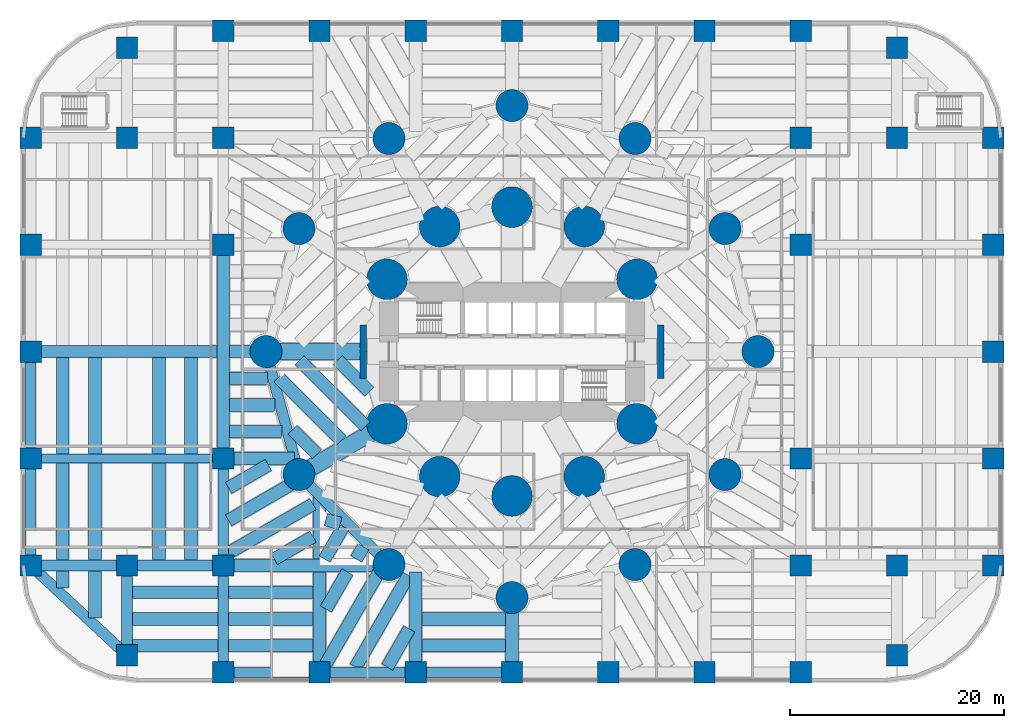
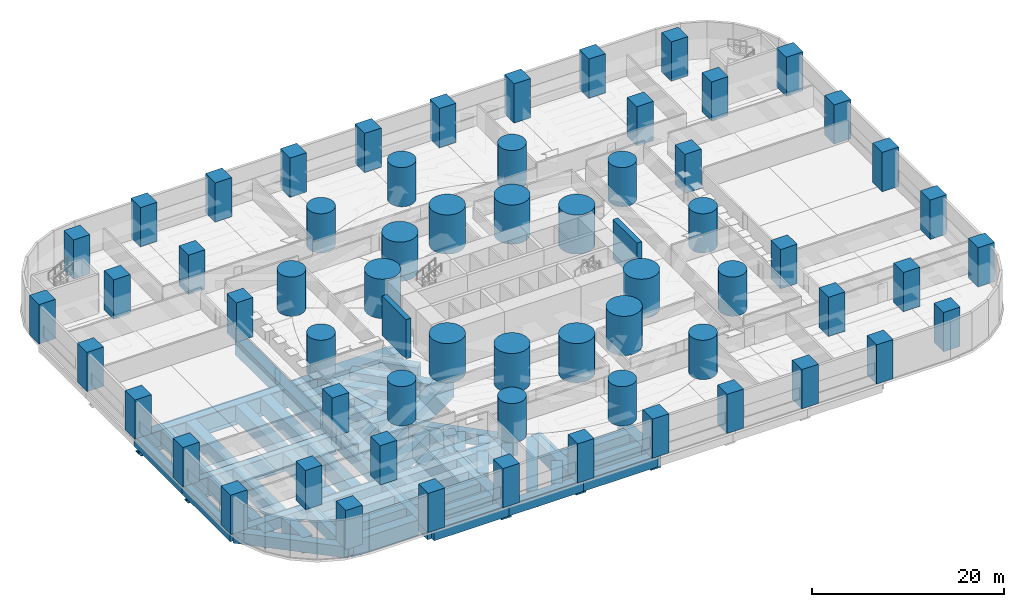
# One storey, part 1 of 17: 64 columns, 59 beams.
"""IFC4 building model written with IfcOpenShell, lengths in metres."""

from ifc_helpers import new_model, si_unit, direction, frame, origin, origin_2d, place, context, subcontext, project, spatial, rectangle, circle, i_section, extrude, material, material_profile, profile_set, type_object, element, save


model = new_model("IFC4")

# Units and contexts
model_context = context("Model", 3, precision=1e-05, world=origin(), true_north=direction((0.0, 1.0)))
body_context = subcontext(model_context, "Body", "Model", "MODEL_VIEW")
ifc_project = project(units=[si_unit("LENGTHUNIT", "METRE"), si_unit("AREAUNIT", "SQUARE_METRE"), si_unit("VOLUMEUNIT", "CUBIC_METRE"), si_unit("PLANEANGLEUNIT", "RADIAN"), si_unit("MASSUNIT", "GRAM", prefix="KILO")], contexts=[model_context])

# Site, building, storey
site_placement = place(None, origin())
site = spatial("IfcSite", under=ifc_project, at=site_placement, CompositionType="ELEMENT")
building_placement = place(site_placement, origin())
building = spatial("IfcBuilding", under=site, at=building_placement, Name="Qaws Media Tower", CompositionType="ELEMENT")
storey_placement = place(building_placement, frame((0.0, 0.0, 15.0)))
storey = spatial("IfcBuildingStorey", under=building, at=storey_placement, Name="L02", CompositionType="ELEMENT", Elevation=15.0)

# Columns
ifc_material_1 = material(Name="Concrete C70/85", Category="concrete")
ifc_material_profile_1 = material_profile(ifc_material_1, circle(Radius=1.5, at=origin_2d()), Name="RC D3000")
ifc_profile_set_1 = profile_set([ifc_material_profile_1], Name="Concrete C70/85")
column_type_1 = type_object("IfcColumnType", Name="Mega column RC D3000", PredefinedType="COLUMN", material=ifc_profile_set_1)
for number, where, z_axis, x_axis, name in (
    (1, (83.0, 50.0, 0.0), (0.0, 0.0, 1.0), (1.0, 0.0, 0.0), "MC1 mega column M01"),
    (2, (79.918701171875, 61.5, 0.0), (0.0, 0.0, 1.0), (1.0, 0.0, 0.0), "MC1 mega column M02"),
    (3, (71.5, 69.918701171875, 0.0), (0.0, 0.0, 1.0), (1.0, 0.0, 0.0), "MC1 mega column M03"),
    (4, (60.0, 73.0, 0.0), (0.0, 0.0, 1.0), (1.0, 0.0, 0.0), "MC1 mega column M04"),
    (5, (48.5, 69.918701171875, 0.0), (0.0, 0.0, 1.0), (1.0, 0.0, 0.0), "MC1 mega column M05"),
    (6, (40.081298828125, 61.5, 0.0), (0.0, 0.0, 1.0), (1.0, 0.0, 0.0), "MC1 mega column M06"),
    (7, (37.0, 50.0, 0.0), (0.0, 0.0, 1.0), (1.0, 0.0, 0.0), "MC1 mega column M07"),
    (8, (40.081298828125, 38.5, 0.0), (0.0, 0.0, 1.0), (1.0, 0.0, 0.0), "MC1 mega column M08"),
    (9, (48.5, 30.081298828125, 0.0), (0.0, 0.0, 1.0), (1.0, 0.0, 0.0), "MC1 mega column M09"),
    (10, (60.0, 27.0, 0.0), (0.0, 0.0, 1.0), (1.0, 0.0, 0.0), "MC1 mega column M10"),
    (11, (71.5, 30.081298828125, 0.0), (0.0, 0.0, 1.0), (1.0, 0.0, 0.0), "MC1 mega column M11"),
    (12, (79.918701171875, 38.5, 0.0), (0.0, 0.0, 1.0), (1.0, 0.0, 0.0), "MC1 mega column M12"),
):
    element("IfcColumn", number, at=place(storey_placement, frame(where, z_axis=z_axis, x_axis=x_axis)), inside=storey, type_object=column_type_1, Name=name, PredefinedType="COLUMN", context=body_context, shape_type="SweptSolid", body=[
        extrude(circle(Radius=1.5, at=origin_2d()), origin(), (0.0, 0.0, 1.0), 5.0),
    ])
ifc_material_2 = material(Name="Concrete C60/75", Category="concrete")
ifc_material_profile_2 = material_profile(ifc_material_2, rectangle(XDim=2.0, YDim=2.0, at=origin_2d()), Name="RC 2000x2000")
ifc_profile_set_2 = profile_set([ifc_material_profile_2], Name="Concrete C60/75")
column_type_2 = type_object("IfcColumnType", Name="Podium column RC 2000x2000", PredefinedType="COLUMN", material=ifc_profile_set_2)
for number, where, z_axis, x_axis, name in (
    (13, (33.0, 20.0, 0.0), (0.0, 0.0, 1.0), (1.0, 0.0, 0.0), "PC2 column 3/A"),
    (14, (42.0, 20.0, 0.0), (0.0, 0.0, 1.0), (1.0, 0.0, 0.0), "PC2 column 4/A"),
    (15, (51.0, 20.0, 0.0), (0.0, 0.0, 1.0), (1.0, 0.0, 0.0), "PC2 column 5/A"),
    (16, (60.0, 20.0, 0.0), (0.0, 0.0, 1.0), (1.0, 0.0, 0.0), "PC2 column 6/A"),
    (17, (69.0, 20.0, 0.0), (0.0, 0.0, 1.0), (1.0, 0.0, 0.0), "PC2 column 7/A"),
    (18, (78.0, 20.0, 0.0), (0.0, 0.0, 1.0), (1.0, 0.0, 0.0), "PC2 column 8/A"),
    (19, (87.0, 20.0, 0.0), (0.0, 0.0, 1.0), (1.0, 0.0, 0.0), "PC2 column 9/A"),
    (20, (24.0, 21.60009765625, 0.0), (0.0, 0.0, 1.0), (1.0, 0.0, 0.0), "PC2 column 2/A"),
    (21, (96.0, 21.60009765625, 0.0), (0.0, 0.0, 1.0), (1.0, 0.0, 0.0), "PC2 column 10/A"),
    (22, (15.0, 30.0, 0.0), (0.0, 0.0, 1.0), (1.0, 0.0, 0.0), "PC2 column 1/B"),
    (23, (24.0, 30.0, 0.0), (0.0, 0.0, 1.0), (1.0, 0.0, 0.0), "PC2 column 2/B"),
    (24, (33.0, 30.0, 0.0), (0.0, 0.0, 1.0), (1.0, 0.0, 0.0), "PC2 column 3/B"),
    (25, (87.0, 30.0, 0.0), (0.0, 0.0, 1.0), (1.0, 0.0, 0.0), "PC2 column 9/B"),
    (26, (96.0, 30.0, 0.0), (0.0, 0.0, 1.0), (1.0, 0.0, 0.0), "PC2 column 10/B"),
    (27, (105.0, 30.0, 0.0), (0.0, 0.0, 1.0), (1.0, 0.0, 0.0), "PC2 column 11/B"),
    (28, (15.0, 40.0, 0.0), (0.0, 0.0, 1.0), (1.0, 0.0, 0.0), "PC2 column 1/C"),
    (29, (33.0, 40.0, 0.0), (0.0, 0.0, 1.0), (1.0, 0.0, 0.0), "PC2 column 3/C"),
    (30, (87.0, 40.0, 0.0), (0.0, 0.0, 1.0), (1.0, 0.0, 0.0), "PC2 column 9/C"),
    (31, (105.0, 40.0, 0.0), (0.0, 0.0, 1.0), (1.0, 0.0, 0.0), "PC2 column 11/C"),
    (32, (15.0, 50.0, 0.0), (0.0, 0.0, 1.0), (1.0, 0.0, 0.0), "PC2 column 1/D"),
    (33, (105.0, 50.0, 0.0), (0.0, 0.0, 1.0), (1.0, 0.0, 0.0), "PC2 column 11/D"),
    (34, (15.0, 60.0, 0.0), (0.0, 0.0, 1.0), (1.0, 0.0, 0.0), "PC2 column 1/E"),
    (35, (33.0, 60.0, 0.0), (0.0, 0.0, 1.0), (1.0, 0.0, 0.0), "PC2 column 3/E"),
    (36, (87.0, 60.0, 0.0), (0.0, 0.0, 1.0), (1.0, 0.0, 0.0), "PC2 column 9/E"),
    (37, (105.0, 60.0, 0.0), (0.0, 0.0, 1.0), (1.0, 0.0, 0.0), "PC2 column 11/E"),
    (38, (15.0, 70.0, 0.0), (0.0, 0.0, 1.0), (1.0, 0.0, 0.0), "PC2 column 1/F"),
    (39, (24.0, 70.0, 0.0), (0.0, 0.0, 1.0), (1.0, 0.0, 0.0), "PC2 column 2/F"),
    (40, (33.0, 70.0, 0.0), (0.0, 0.0, 1.0), (1.0, 0.0, 0.0), "PC2 column 3/F"),
    (41, (87.0, 70.0, 0.0), (0.0, 0.0, 1.0), (1.0, 0.0, 0.0), "PC2 column 9/F"),
    (42, (96.0, 70.0, 0.0), (0.0, 0.0, 1.0), (1.0, 0.0, 0.0), "PC2 column 10/F"),
    (43, (105.0, 70.0, 0.0), (0.0, 0.0, 1.0), (1.0, 0.0, 0.0), "PC2 column 11/F"),
    (44, (24.0, 78.39990234375, 0.0), (0.0, 0.0, 1.0), (1.0, 0.0, 0.0), "PC2 column 2/G"),
    (45, (96.0, 78.39990234375, 0.0), (0.0, 0.0, 1.0), (1.0, 0.0, 0.0), "PC2 column 10/G"),
    (46, (33.0, 80.0, 0.0), (0.0, 0.0, 1.0), (1.0, 0.0, 0.0), "PC2 column 3/G"),
    (47, (42.0, 80.0, 0.0), (0.0, 0.0, 1.0), (1.0, 0.0, 0.0), "PC2 column 4/G"),
    (48, (51.0, 80.0, 0.0), (0.0, 0.0, 1.0), (1.0, 0.0, 0.0), "PC2 column 5/G"),
    (49, (60.0, 80.0, 0.0), (0.0, 0.0, 1.0), (1.0, 0.0, 0.0), "PC2 column 6/G"),
    (50, (69.0, 80.0, 0.0), (0.0, 0.0, 1.0), (1.0, 0.0, 0.0), "PC2 column 7/G"),
    (51, (78.0, 80.0, 0.0), (0.0, 0.0, 1.0), (1.0, 0.0, 0.0), "PC2 column 8/G"),
    (52, (87.0, 80.0, 0.0), (0.0, 0.0, 1.0), (1.0, 0.0, 0.0), "PC2 column 9/G"),
):
    element("IfcColumn", number, at=place(storey_placement, frame(where, z_axis=z_axis, x_axis=x_axis)), inside=storey, type_object=column_type_2, Name=name, PredefinedType="COLUMN", context=body_context, shape_type="SweptSolid", body=[
        extrude(rectangle(XDim=2.0, YDim=2.0, at=origin_2d()), origin(), (0.0, 0.0, 1.0), 5.0),
    ])
ifc_material_3 = material(Name="Concrete C70/85", Category="concrete")
ifc_material_profile_3 = material_profile(ifc_material_3, rectangle(XDim=0.60009765625, YDim=5.0, at=origin_2d()), Name="RC 600x5000")
ifc_profile_set_3 = profile_set([ifc_material_profile_3], Name="Concrete C70/85")
column_type_3 = type_object("IfcColumnType", Name="Podium inner blade column RC 600x5000", PredefinedType="COLUMN", material=ifc_profile_set_3)
for number, where, z_axis, x_axis, name in (
    (53, (73.89990234375, 50.0, 0.0), (0.0, 0.0, 1.0), (1.0, 0.0, 0.0), "PC4 inner blade column I01"),
    (54, (46.10009765625, 50.0, 0.0), (0.0, 0.0, 1.0), (1.0, 0.0, 0.0), "PC4 inner blade column I07"),
):
    element("IfcColumn", number, at=place(storey_placement, frame(where, z_axis=z_axis, x_axis=x_axis)), inside=storey, type_object=column_type_3, Name=name, PredefinedType="COLUMN", context=body_context, shape_type="SweptSolid", body=[
        extrude(rectangle(XDim=0.60009765625, YDim=5.0, at=origin_2d()), origin(), (0.0, 0.0, 1.0), 5.0),
    ])
ifc_material_4 = material(Name="Concrete C70/85", Category="concrete")
ifc_material_profile_4 = material_profile(ifc_material_4, circle(Radius=1.89990234375, at=origin_2d()), Name="RC D3800")
ifc_profile_set_4 = profile_set([ifc_material_profile_4], Name="Concrete C70/85")
column_type_4 = type_object("IfcColumnType", Name="Podium inner column RC D3800", PredefinedType="COLUMN", material=ifc_profile_set_4)
for number, where, z_axis, x_axis, name in (
    (55, (71.69140625, 56.75, 0.0), (0.0, 0.0, 1.0), (1.0, 0.0, 0.0), "PC3 inner column I02"),
    (56, (66.75, 61.69140625, 0.0), (0.0, 0.0, 1.0), (1.0, 0.0, 0.0), "PC3 inner column I03"),
    (57, (60.0, 63.5, 0.0), (0.0, 0.0, 1.0), (1.0, 0.0, 0.0), "PC3 inner column I04"),
    (58, (53.25, 61.69140625, 0.0), (0.0, 0.0, 1.0), (1.0, 0.0, 0.0), "PC3 inner column I05"),
    (59, (48.30859375, 56.75, 0.0), (0.0, 0.0, 1.0), (1.0, 0.0, 0.0), "PC3 inner column I06"),
    (60, (48.30859375, 43.25, 0.0), (0.0, 0.0, 1.0), (1.0, 0.0, 0.0), "PC3 inner column I08"),
    (61, (53.25, 38.30859375, 0.0), (0.0, 0.0, 1.0), (1.0, 0.0, 0.0), "PC3 inner column I09"),
    (62, (60.0, 36.5, 0.0), (0.0, 0.0, 1.0), (1.0, 0.0, 0.0), "PC3 inner column I10"),
    (63, (66.75, 38.30859375, 0.0), (0.0, 0.0, 1.0), (1.0, 0.0, 0.0), "PC3 inner column I11"),
    (64, (71.69140625, 43.25, 0.0), (0.0, 0.0, 1.0), (1.0, 0.0, 0.0), "PC3 inner column I12"),
):
    element("IfcColumn", number, at=place(storey_placement, frame(where, z_axis=z_axis, x_axis=x_axis)), inside=storey, type_object=column_type_4, Name=name, PredefinedType="COLUMN", context=body_context, shape_type="SweptSolid", body=[
        extrude(circle(Radius=1.89990234375, at=origin_2d()), origin(), (0.0, 0.0, 1.0), 5.0),
    ])

# Beams
ifc_material_5 = material(Name="Concrete C60/75", Category="concrete")
ifc_material_profile_5 = material_profile(ifc_material_5, rectangle(XDim=1.0, YDim=1.39990234375, at=origin_2d()), Name="RC 1000x1400")
ifc_profile_set_5 = profile_set([ifc_material_profile_5], Name="Concrete C60/75")
beam_type_1 = type_object("IfcBeamType", Name="Podium edge beam RC 1000x1400", PredefinedType="BEAM", material=ifc_profile_set_5)
for number, where, z_axis, x_axis, name in (
    (65, (37.0, 50.0, -1.0), (0.258809885148, -0.965928280645, 0.0), (0.965928280645, 0.258809885148, 0.0), "PB3 beam M07-M08"),
    (66, (40.081298828125, 38.5, -1.0), (0.707106781187, -0.707106781187, 0.0), (0.707106781187, 0.707106781187, 0.0), "PB3 beam M08-M09"),
):
    element("IfcBeam", number, at=place(storey_placement, frame(where, z_axis=z_axis, x_axis=x_axis)), inside=storey, type_object=beam_type_1, Name=name, PredefinedType="BEAM", context=body_context, shape_type="SweptSolid", body=[
        extrude(rectangle(XDim=1.0, YDim=1.39990234375, at=origin_2d()), origin(), (0.0, 0.0, 1.0), 11.90576171875),
    ])
ifc_material_6 = material(Name="Concrete C60/75", Category="concrete")
ifc_material_profile_6 = material_profile(ifc_material_6, rectangle(XDim=1.0, YDim=1.39990234375, at=origin_2d()), Name="RC 1000x1400")
ifc_profile_set_6 = profile_set([ifc_material_profile_6], Name="Concrete C60/75")
beam_type_2 = type_object("IfcBeamType", Name="Podium girder RC 1000x1400", PredefinedType="BEAM", material=ifc_profile_set_6)
for number, where, z_axis, x_axis, name in (
    (67, (33.0, 20.0, -1.0), (1.0, 0.0, 0.0), (0.0, 1.0, 0.0), "PB5 beam 3-4/A"),
    (68, (42.0, 20.0, -1.0), (1.0, 0.0, 0.0), (0.0, 1.0, 0.0), "PB5 beam 4-5/A"),
    (69, (51.0, 20.0, -1.0), (1.0, 0.0, 0.0), (0.0, 1.0, 0.0), "PB5 beam 5-6/A"),
    (70, (15.0, 30.0, -1.0), (1.0, 0.0, 0.0), (0.0, 1.0, 0.0), "PB5 beam 1-2/B"),
    (71, (24.0, 30.0, -1.0), (1.0, 0.0, 0.0), (0.0, 1.0, 0.0), "PB5 beam 2-3/B"),
):
    element("IfcBeam", number, at=place(storey_placement, frame(where, z_axis=z_axis, x_axis=x_axis)), inside=storey, type_object=beam_type_2, Name=name, PredefinedType="BEAM", context=body_context, shape_type="SweptSolid", body=[
        extrude(rectangle(XDim=1.0, YDim=1.39990234375, at=origin_2d()), origin(), (0.0, 0.0, 1.0), 9.0),
    ])
for number, where, z_axis, x_axis, name in (
    (72, (15.0, 30.0, -1.0), (0.0, 1.0, 0.0), (-1.0, 0.0, 0.0), "PB5 beam 1/B-C"),
    (73, (15.0, 40.0, -1.0), (0.0, 1.0, 0.0), (-1.0, 0.0, 0.0), "PB5 beam 1/C-D"),
):
    element("IfcBeam", number, at=place(storey_placement, frame(where, z_axis=z_axis, x_axis=x_axis)), inside=storey, type_object=beam_type_2, Name=name, PredefinedType="BEAM", context=body_context, shape_type="SweptSolid", body=[
        extrude(rectangle(XDim=1.0, YDim=1.39990234375, at=origin_2d()), origin(), (0.0, 0.0, 1.0), 10.0),
    ])
beam_1_placement = place(storey_placement, frame((24.0, 21.60009765625, -1.0), z_axis=(0.0, 1.0, 0.0), x_axis=(-1.0, 0.0, 0.0)))
element("IfcBeam", 74, at=beam_1_placement, inside=storey, type_object=beam_type_2, Name="PB5 beam 2/A-B", PredefinedType="BEAM", context=body_context, shape_type="SweptSolid", body=[
    extrude(rectangle(XDim=1.0, YDim=1.39990234375, at=origin_2d()), origin(), (0.0, 0.0, 1.0), 8.39990234375),
])
for number, where, z_axis, x_axis, name in (
    (75, (33.0, 20.0, -1.0), (0.0, 1.0, 0.0), (-1.0, 0.0, 0.0), "PB5 beam 3/A-B"),
    (76, (33.0, 30.0, -1.0), (0.0, 1.0, 0.0), (-1.0, 0.0, 0.0), "PB5 beam 3/B-C"),
):
    element("IfcBeam", number, at=place(storey_placement, frame(where, z_axis=z_axis, x_axis=x_axis)), inside=storey, type_object=beam_type_2, Name=name, PredefinedType="BEAM", context=body_context, shape_type="SweptSolid", body=[
        extrude(rectangle(XDim=1.0, YDim=1.39990234375, at=origin_2d()), origin(), (0.0, 0.0, 1.0), 10.0),
    ])
beam_2_placement = place(storey_placement, frame((15.0, 30.0, -1.0), z_axis=(0.73105922506, -0.682314010889, 0.0), x_axis=(0.682314010889, 0.73105922506, 0.0)))
element("IfcBeam", 77, at=beam_2_placement, inside=storey, type_object=beam_type_2, Name="PB5 beam 1/B-2/A", PredefinedType="BEAM", context=body_context, shape_type="SweptSolid", body=[
    extrude(rectangle(XDim=1.0, YDim=1.39990234375, at=origin_2d()), origin(), (0.0, 0.0, 1.0), 12.310791015625),
])
ifc_material_7 = material(Name="Concrete C60/75", Category="concrete")
ifc_material_profile_7 = material_profile(ifc_material_7, rectangle(XDim=1.199951171875, YDim=2.0, at=origin_2d()), Name="RC 1200x2000")
ifc_profile_set_7 = profile_set([ifc_material_profile_7], Name="Concrete C60/75")
beam_type_3 = type_object("IfcBeamType", Name="Podium long trimmer beam RC 1200x2000", PredefinedType="BEAM", material=ifc_profile_set_7)
beam_3_placement = place(storey_placement, frame((33.0, 30.0, -1.300048828125), z_axis=(1.0, 0.0, 0.0), x_axis=(0.0, 1.0, 0.0)))
element("IfcBeam", 78, at=beam_3_placement, inside=storey, type_object=beam_type_3, Name="PB11 beam 3/B to the tower ring", PredefinedType="BEAM", context=body_context, shape_type="SweptSolid", body=[
    extrude(rectangle(XDim=1.199951171875, YDim=2.0, at=origin_2d()), origin(), (0.0, 0.0, 1.0), 15.803955078125),
])
beam_4_placement = place(storey_placement, frame((33.0, 40.0, -1.300048828125), z_axis=(0.0, 1.0, 0.0), x_axis=(-1.0, 0.0, 0.0)))
element("IfcBeam", 79, at=beam_4_placement, inside=storey, type_object=beam_type_3, Name="PB11 beam 3/C-3/E", PredefinedType="BEAM", context=body_context, shape_type="SweptSolid", body=[
    extrude(rectangle(XDim=1.199951171875, YDim=2.0, at=origin_2d()), origin(), (0.0, 0.0, 1.0), 20.0),
])
beam_5_placement = place(storey_placement, frame((42.0, 20.0, -1.300048828125), z_axis=(0.0, 1.0, 0.0), x_axis=(-1.0, 0.0, 0.0)))
element("IfcBeam", 80, at=beam_5_placement, inside=storey, type_object=beam_type_3, Name="PB11 beam 4/A to the tower ring", PredefinedType="BEAM", context=body_context, shape_type="SweptSolid", body=[
    extrude(rectangle(XDim=1.199951171875, YDim=2.0, at=origin_2d()), origin(), (0.0, 0.0, 1.0), 16.581298828125),
])
ifc_material_8 = material(Name="Concrete C60/75", Category="concrete")
ifc_material_profile_8 = material_profile(ifc_material_8, rectangle(XDim=1.199951171875, YDim=2.0, at=origin_2d()), Name="RC 1200x2000")
ifc_profile_set_8 = profile_set([ifc_material_profile_8], Name="Concrete C60/75")
beam_type_4 = type_object("IfcBeamType", Name="Podium secondary beam RC 1200x2000", PredefinedType="BEAM", material=ifc_profile_set_8)
beam_6_placement = place(storey_placement, frame((21.0, 25.083984375, -1.300048828125), z_axis=(0.0, 1.0, 0.0), x_axis=(-1.0, 0.0, 0.0)))
element("IfcBeam", 81, at=beam_6_placement, inside=storey, type_object=beam_type_4, Name="PB7 beam bay 1A line 1", PredefinedType="BEAM", context=body_context, shape_type="SweptSolid", body=[
    extrude(rectangle(XDim=1.199951171875, YDim=2.0, at=origin_2d()), origin(), (0.0, 0.0, 1.0), 4.416015625),
])
beam_7_placement = place(storey_placement, frame((18.0, 27.884033203125, -1.300048828125), z_axis=(0.0, 1.0, 0.0), x_axis=(-1.0, 0.0, 0.0)))
element("IfcBeam", 82, at=beam_7_placement, inside=storey, type_object=beam_type_4, Name="PB7 beam bay 1A line 2", PredefinedType="BEAM", context=body_context, shape_type="SweptSolid", body=[
    extrude(rectangle(XDim=1.199951171875, YDim=2.0, at=origin_2d()), origin(), (0.0, 0.0, 1.0), 1.615966796875),
])
for number, where, z_axis, x_axis, name in (
    (83, (21.0, 30.5, -1.300048828125), (0.0, 1.0, 0.0), (-1.0, 0.0, 0.0), "PB7 beam bay 1B line 1"),
    (84, (18.0, 30.5, -1.300048828125), (0.0, 1.0, 0.0), (-1.0, 0.0, 0.0), "PB7 beam bay 1B line 2"),
):
    element("IfcBeam", number, at=place(storey_placement, frame(where, z_axis=z_axis, x_axis=x_axis)), inside=storey, type_object=beam_type_4, Name=name, PredefinedType="BEAM", context=body_context, shape_type="SweptSolid", body=[
        extrude(rectangle(XDim=1.199951171875, YDim=2.0, at=origin_2d()), origin(), (0.0, 0.0, 1.0), 9.10009765625),
    ])
for number, where, z_axis, x_axis, name in (
    (85, (21.0, 40.39990234375, -1.300048828125), (0.0, 1.0, 0.0), (-1.0, 0.0, 0.0), "PB7 beam bay 1C line 1"),
    (86, (18.0, 40.39990234375, -1.300048828125), (0.0, 1.0, 0.0), (-1.0, 0.0, 0.0), "PB7 beam bay 1C line 2"),
):
    element("IfcBeam", number, at=place(storey_placement, frame(where, z_axis=z_axis, x_axis=x_axis)), inside=storey, type_object=beam_type_4, Name=name, PredefinedType="BEAM", context=body_context, shape_type="SweptSolid", body=[
        extrude(rectangle(XDim=1.199951171875, YDim=2.0, at=origin_2d()), origin(), (0.0, 0.0, 1.0), 9.050048828125),
    ])
for number, where, z_axis, x_axis, name in (
    (87, (24.5, 22.5, -1.300048828125), (1.0, 0.0, 0.0), (0.0, 1.0, 0.0), "PB7 beam bay 2A line 1"),
    (88, (24.5, 25.0, -1.300048828125), (1.0, 0.0, 0.0), (0.0, 1.0, 0.0), "PB7 beam bay 2A line 2"),
    (89, (24.5, 27.5, -1.300048828125), (1.0, 0.0, 0.0), (0.0, 1.0, 0.0), "PB7 beam bay 2A line 3"),
):
    element("IfcBeam", number, at=place(storey_placement, frame(where, z_axis=z_axis, x_axis=x_axis)), inside=storey, type_object=beam_type_4, Name=name, PredefinedType="BEAM", context=body_context, shape_type="SweptSolid", body=[
        extrude(rectangle(XDim=1.199951171875, YDim=2.0, at=origin_2d()), origin(), (0.0, 0.0, 1.0), 8.0),
    ])
for number, where, z_axis, x_axis, name in (
    (90, (30.0, 30.5, -1.300048828125), (0.0, 1.0, 0.0), (-1.0, 0.0, 0.0), "PB7 beam bay 2B line 1"),
    (91, (27.0, 30.5, -1.300048828125), (0.0, 1.0, 0.0), (-1.0, 0.0, 0.0), "PB7 beam bay 2B line 2"),
):
    element("IfcBeam", number, at=place(storey_placement, frame(where, z_axis=z_axis, x_axis=x_axis)), inside=storey, type_object=beam_type_4, Name=name, PredefinedType="BEAM", context=body_context, shape_type="SweptSolid", body=[
        extrude(rectangle(XDim=1.199951171875, YDim=2.0, at=origin_2d()), origin(), (0.0, 0.0, 1.0), 9.10009765625),
    ])
for number, where, z_axis, x_axis, name in (
    (92, (30.0, 40.39990234375, -1.300048828125), (0.0, 1.0, 0.0), (-1.0, 0.0, 0.0), "PB7 beam bay 2C line 1"),
    (93, (27.0, 40.39990234375, -1.300048828125), (0.0, 1.0, 0.0), (-1.0, 0.0, 0.0), "PB7 beam bay 2C line 2"),
):
    element("IfcBeam", number, at=place(storey_placement, frame(where, z_axis=z_axis, x_axis=x_axis)), inside=storey, type_object=beam_type_4, Name=name, PredefinedType="BEAM", context=body_context, shape_type="SweptSolid", body=[
        extrude(rectangle(XDim=1.199951171875, YDim=2.0, at=origin_2d()), origin(), (0.0, 0.0, 1.0), 9.050048828125),
    ])
for number, where, z_axis, x_axis, name in (
    (94, (33.5, 22.5, -1.300048828125), (1.0, 0.0, 0.0), (0.0, 1.0, 0.0), "PB7 beam bay 3A line 1"),
    (95, (33.5, 25.0, -1.300048828125), (1.0, 0.0, 0.0), (0.0, 1.0, 0.0), "PB7 beam bay 3A line 2"),
    (96, (33.5, 27.5, -1.300048828125), (1.0, 0.0, 0.0), (0.0, 1.0, 0.0), "PB7 beam bay 3A line 3"),
):
    element("IfcBeam", number, at=place(storey_placement, frame(where, z_axis=z_axis, x_axis=x_axis)), inside=storey, type_object=beam_type_4, Name=name, PredefinedType="BEAM", context=body_context, shape_type="SweptSolid", body=[
        extrude(rectangle(XDim=1.199951171875, YDim=2.0, at=origin_2d()), origin(), (0.0, 0.0, 1.0), 7.89990234375),
    ])
beam_8_placement = place(storey_placement, frame((37.775146484375, 30.60009765625, -1.300048828125), z_axis=(0.866023369196, 0.500003523994, 0.0), x_axis=(-0.500003523994, 0.866023369196, 0.0)))
element("IfcBeam", 97, at=beam_8_placement, inside=storey, type_object=beam_type_4, Name="PB7 beam bay 3B line 1", PredefinedType="BEAM", context=body_context, shape_type="SweptSolid", body=[
    extrude(rectangle(XDim=1.199951171875, YDim=2.0, at=origin_2d()), origin(), (0.0, 0.0, 1.0), 4.185546875),
])
beam_9_placement = place(storey_placement, frame((33.5, 31.1708984375, -1.300048828125), z_axis=(0.866024244995, 0.500002007077, 0.0), x_axis=(-0.500002007077, 0.866024244995, 0.0)))
element("IfcBeam", 98, at=beam_9_placement, inside=storey, type_object=beam_type_4, Name="PB7 beam bay 3B line 2", PredefinedType="BEAM", context=body_context, shape_type="SweptSolid", body=[
    extrude(rectangle(XDim=1.199951171875, YDim=2.0, at=origin_2d()), origin(), (0.0, 0.0, 1.0), 9.1220703125),
])
beam_10_placement = place(storey_placement, frame((33.5, 34.210205078125, -1.300048828125), z_axis=(0.866033686948, 0.499985652865, 0.0), x_axis=(-0.499985652865, 0.866033686948, 0.0)))
element("IfcBeam", 99, at=beam_10_placement, inside=storey, type_object=beam_type_4, Name="PB7 beam bay 3B line 3", PredefinedType="BEAM", context=body_context, shape_type="SweptSolid", body=[
    extrude(rectangle(XDim=1.199951171875, YDim=2.0, at=origin_2d()), origin(), (0.0, 0.0, 1.0), 7.440673828125),
])
beam_11_placement = place(storey_placement, frame((33.5, 37.24951171875, -1.300048828125), z_axis=(0.866040963478, 0.499973048851, 0.0), x_axis=(-0.499973048851, 0.866040963478, 0.0)))
element("IfcBeam", 100, at=beam_11_placement, inside=storey, type_object=beam_type_4, Name="PB7 beam bay 3B line 4", PredefinedType="BEAM", context=body_context, shape_type="SweptSolid", body=[
    extrude(rectangle(XDim=1.199951171875, YDim=2.0, at=origin_2d()), origin(), (0.0, 0.0, 1.0), 4.301025390625),
])
beam_12_placement = place(storey_placement, frame((33.60009765625, 42.5, -1.300048828125), z_axis=(1.0, 0.0, 0.0), x_axis=(0.0, 1.0, 0.0)))
element("IfcBeam", 101, at=beam_12_placement, inside=storey, type_object=beam_type_4, Name="PB7 beam bay 3C line 1", PredefinedType="BEAM", context=body_context, shape_type="SweptSolid", body=[
    extrude(rectangle(XDim=1.199951171875, YDim=2.0, at=origin_2d()), origin(), (0.0, 0.0, 1.0), 4.891845703125),
])
beam_13_placement = place(storey_placement, frame((33.60009765625, 45.0, -1.300048828125), z_axis=(1.0, 0.0, 0.0), x_axis=(0.0, 1.0, 0.0)))
element("IfcBeam", 102, at=beam_13_placement, inside=storey, type_object=beam_type_4, Name="PB7 beam bay 3C line 2", PredefinedType="BEAM", context=body_context, shape_type="SweptSolid", body=[
    extrude(rectangle(XDim=1.199951171875, YDim=2.0, at=origin_2d()), origin(), (0.0, 0.0, 1.0), 4.221923828125),
])
beam_14_placement = place(storey_placement, frame((33.60009765625, 47.5, -1.300048828125), z_axis=(1.0, 0.0, 0.0), x_axis=(0.0, 1.0, 0.0)))
element("IfcBeam", 103, at=beam_14_placement, inside=storey, type_object=beam_type_4, Name="PB7 beam bay 3C line 3", PredefinedType="BEAM", context=body_context, shape_type="SweptSolid", body=[
    extrude(rectangle(XDim=1.199951171875, YDim=2.0, at=origin_2d()), origin(), (0.0, 0.0, 1.0), 3.55224609375),
])
beam_15_placement = place(storey_placement, frame((48.333984375, 20.5, -1.300048828125), z_axis=(0.499990122378, 0.866031106557, 0.0), x_axis=(-0.866031106557, 0.499990122378, 0.0)))
element("IfcBeam", 104, at=beam_15_placement, inside=storey, type_object=beam_type_4, Name="PB7 beam bay 4A line 1", PredefinedType="BEAM", context=body_context, shape_type="SweptSolid", body=[
    extrude(rectangle(XDim=1.199951171875, YDim=2.0, at=origin_2d()), origin(), (0.0, 0.0, 1.0), 4.1318359375),
])
beam_16_placement = place(storey_placement, frame((45.37939453125, 20.5, -1.300048828125), z_axis=(0.499992846816, 0.866029533637, 0.0), x_axis=(-0.866029533637, 0.499992846816, 0.0)))
element("IfcBeam", 105, at=beam_16_placement, inside=storey, type_object=beam_type_4, Name="PB7 beam bay 4A line 2", PredefinedType="BEAM", context=body_context, shape_type="SweptSolid", body=[
    extrude(rectangle(XDim=1.199951171875, YDim=2.0, at=origin_2d()), origin(), (0.0, 0.0, 1.0), 9.900146484375),
])
beam_17_placement = place(storey_placement, frame((42.424560546875, 20.5, -1.300048828125), z_axis=(0.500004869266, 0.866022592494, 0.0), x_axis=(-0.866022592494, 0.500004869266, 0.0)))
element("IfcBeam", 106, at=beam_17_placement, inside=storey, type_object=beam_type_4, Name="PB7 beam bay 4A line 3", PredefinedType="BEAM", context=body_context, shape_type="SweptSolid", body=[
    extrude(rectangle(XDim=1.199951171875, YDim=2.0, at=origin_2d()), origin(), (0.0, 0.0, 1.0), 10.27685546875),
])
beam_18_placement = place(storey_placement, frame((42.60009765625, 25.921630859375, -1.300048828125), z_axis=(0.500022371132, 0.86601248742, 0.0), x_axis=(-0.86601248742, 0.500022371132, 0.0)))
element("IfcBeam", 107, at=beam_18_placement, inside=storey, type_object=beam_type_4, Name="PB7 beam bay 4A line 4", PredefinedType="BEAM", context=body_context, shape_type="SweptSolid", body=[
    extrude(rectangle(XDim=1.199951171875, YDim=2.0, at=origin_2d()), origin(), (0.0, 0.0, 1.0), 4.016357421875),
])
beam_19_placement = place(storey_placement, frame((45.43701171875, 30.60009765625, -1.300048828125), z_axis=(0.500062873969, 0.865989100438, 0.0), x_axis=(-0.865989100438, 0.500062873969, 0.0)))
element("IfcBeam", 108, at=beam_19_placement, inside=storey, type_object=beam_type_4, Name="PB7 beam bay 4B line 1", PredefinedType="BEAM", context=body_context, shape_type="SweptSolid", body=[
    extrude(rectangle(XDim=1.199951171875, YDim=2.0, at=origin_2d()), origin(), (0.0, 0.0, 1.0), 1.344970703125),
])
beam_20_placement = place(storey_placement, frame((42.482421875, 30.60009765625, -1.300048828125), z_axis=(0.500001597329, 0.866024481564, 0.0), x_axis=(-0.866024481564, 0.500001597329, 0.0)))
element("IfcBeam", 109, at=beam_20_placement, inside=storey, type_object=beam_type_4, Name="PB7 beam bay 4B line 2", PredefinedType="BEAM", context=body_context, shape_type="SweptSolid", body=[
    extrude(rectangle(XDim=1.199951171875, YDim=2.0, at=origin_2d()), origin(), (0.0, 0.0, 1.0), 3.5078125),
])
for number, where, z_axis, x_axis, name in (
    (110, (51.60009765625, 22.5, -1.300048828125), (1.0, 0.0, 0.0), (0.0, 1.0, 0.0), "PB7 beam bay 5A line 1"),
    (111, (51.60009765625, 25.0, -1.300048828125), (1.0, 0.0, 0.0), (0.0, 1.0, 0.0), "PB7 beam bay 5A line 2"),
):
    element("IfcBeam", number, at=place(storey_placement, frame(where, z_axis=z_axis, x_axis=x_axis)), inside=storey, type_object=beam_type_4, Name=name, PredefinedType="BEAM", context=body_context, shape_type="SweptSolid", body=[
        extrude(rectangle(XDim=1.199951171875, YDim=2.0, at=origin_2d()), origin(), (0.0, 0.0, 1.0), 7.7998046875),
    ])
beam_21_placement = place(storey_placement, frame((46.680419921875, 46.23583984375, -1.300048828125), z_axis=(-0.707106781187, 0.707106781187, 0.0), x_axis=(-0.707106781187, -0.707106781187, 0.0)))
element("IfcBeam", 112, at=beam_21_placement, inside=storey, type_object=beam_type_4, Name="PB7 beam bay T07 line 1", PredefinedType="BEAM", context=body_context, shape_type="SweptSolid", body=[
    extrude(rectangle(XDim=1.199951171875, YDim=2.0, at=origin_2d()), origin(), (0.0, 0.0, 1.0), 4.19189453125),
])
beam_22_placement = place(storey_placement, frame((46.311767578125, 43.020751953125, -1.300048828125), z_axis=(-0.707106781187, 0.707106781187, 0.0), x_axis=(-0.707106781187, -0.707106781187, 0.0)))
element("IfcBeam", 113, at=beam_22_placement, inside=storey, type_object=beam_type_4, Name="PB7 beam bay T07 line 2", PredefinedType="BEAM", context=body_context, shape_type="SweptSolid", body=[
    extrude(rectangle(XDim=1.199951171875, YDim=2.0, at=origin_2d()), origin(), (0.0, 0.0, 1.0), 8.73876953125),
])
beam_23_placement = place(storey_placement, frame((44.039794921875, 41.708984375, -1.300048828125), z_axis=(-0.707106781187, 0.707106781187, 0.0), x_axis=(-0.707106781187, -0.707106781187, 0.0)))
element("IfcBeam", 114, at=beam_23_placement, inside=storey, type_object=beam_type_4, Name="PB7 beam bay T07 line 3", PredefinedType="BEAM", context=body_context, shape_type="SweptSolid", body=[
    extrude(rectangle(XDim=1.199951171875, YDim=2.0, at=origin_2d()), origin(), (0.0, 0.0, 1.0), 8.30810546875),
])
beam_24_placement = place(storey_placement, frame((41.767822265625, 40.3974609375, -1.300048828125), z_axis=(-0.707144458383, 0.707069101983, 0.0), x_axis=(-0.707069101983, -0.707144458383, 0.0)))
element("IfcBeam", 115, at=beam_24_placement, inside=storey, type_object=beam_type_4, Name="PB7 beam bay T07 line 4", PredefinedType="BEAM", context=body_context, shape_type="SweptSolid", body=[
    extrude(rectangle(XDim=1.199951171875, YDim=2.0, at=origin_2d()), origin(), (0.0, 0.0, 1.0), 3.23974609375),
])
beam_25_placement = place(storey_placement, frame((43.950439453125, 33.924072265625, -1.300048828125), z_axis=(-0.965927004363, 0.25881464843, 0.0), x_axis=(-0.25881464843, -0.965927004363, 0.0)))
element("IfcBeam", 116, at=beam_25_placement, inside=storey, type_object=beam_type_4, Name="PB7 beam bay T08 line 5", PredefinedType="BEAM", context=body_context, shape_type="SweptSolid", body=[
    extrude(rectangle(XDim=1.199951171875, YDim=2.0, at=origin_2d()), origin(), (0.0, 0.0, 1.0), 1.39794921875),
])
ifc_material_9 = material(Name="Concrete C60/75", Category="concrete")
ifc_material_profile_9 = material_profile(ifc_material_9, rectangle(XDim=1.60009765625, YDim=2.60009765625, at=origin_2d()), Name="RC 1600x2600")
ifc_profile_set_9 = profile_set([ifc_material_profile_9], Name="Concrete C60/75")
beam_type_5 = type_object("IfcBeamType", Name="Podium tower beam RC 1600x2600", PredefinedType="BEAM", material=ifc_profile_set_9)
for number, where, z_axis, x_axis, name in (
    (117, (46.5, 50.0, -1.60009765625), (-1.0, 0.0, 0.0), (0.0, -1.0, 0.0), "PB9 beam I07-M07"),
    (118, (48.30859375, 43.25, -1.60009765625), (-0.86602681393, -0.499997557548, 0.0), (0.499997557548, -0.86602681393, 0.0), "PB9 beam I08-M08"),
):
    element("IfcBeam", number, at=place(storey_placement, frame(where, z_axis=z_axis, x_axis=x_axis)), inside=storey, type_object=beam_type_5, Name=name, PredefinedType="BEAM", context=body_context, shape_type="SweptSolid", body=[
        extrude(rectangle(XDim=1.60009765625, YDim=2.60009765625, at=origin_2d()), origin(), (0.0, 0.0, 1.0), 9.5),
    ])
ifc_material_10 = material(Name="Concrete C60/75", Category="concrete")
ifc_material_profile_10 = material_profile(ifc_material_10, rectangle(XDim=1.199951171875, YDim=2.0, at=origin_2d()), Name="RC 1200x2000")
ifc_profile_set_10 = profile_set([ifc_material_profile_10], Name="Concrete C60/75")
beam_type_6 = type_object("IfcBeamType", Name="Podium trimmer beam RC 1200x2000", PredefinedType="BEAM", material=ifc_profile_set_10)
beam_26_placement = place(storey_placement, frame((33.0, 40.0, -1.300048828125), z_axis=(1.0, 0.0, 0.0), x_axis=(0.0, 1.0, 0.0)))
element("IfcBeam", 119, at=beam_26_placement, inside=storey, type_object=beam_type_6, Name="PB4 beam 3/C to the tower ring", PredefinedType="BEAM", context=body_context, shape_type="SweptSolid", body=[
    extrude(rectangle(XDim=1.199951171875, YDim=2.0, at=origin_2d()), origin(), (0.0, 0.0, 1.0), 6.679443359375),
])
beam_27_placement = place(storey_placement, frame((51.0, 20.0, -1.300048828125), z_axis=(0.0, 1.0, 0.0), x_axis=(-1.0, 0.0, 0.0)))
element("IfcBeam", 120, at=beam_27_placement, inside=storey, type_object=beam_type_6, Name="PB4 beam 5/A to the tower ring", PredefinedType="BEAM", context=body_context, shape_type="SweptSolid", body=[
    extrude(rectangle(XDim=1.199951171875, YDim=2.0, at=origin_2d()), origin(), (0.0, 0.0, 1.0), 9.41162109375),
])
beam_28_placement = place(storey_placement, frame((60.0, 20.0, -1.300048828125), z_axis=(0.0, 1.0, 0.0), x_axis=(-1.0, 0.0, 0.0)))
element("IfcBeam", 121, at=beam_28_placement, inside=storey, type_object=beam_type_6, Name="PB4 beam 6/A to the tower ring", PredefinedType="BEAM", context=body_context, shape_type="SweptSolid", body=[
    extrude(rectangle(XDim=1.199951171875, YDim=2.0, at=origin_2d()), origin(), (0.0, 0.0, 1.0), 7.0),
])
ifc_material_11 = material(Name="Steel S355", Category="steel")
ifc_material_profile_11 = material_profile(ifc_material_11, i_section(OverallWidth=1.10009765625, OverallDepth=2.5, WebThickness=0.031982421875, FlangeThickness=0.080078125, at=origin_2d()), Name="PG 2500x1100")
ifc_profile_set_11 = profile_set([ifc_material_profile_11], Name="Steel S355")
beam_type_7 = type_object("IfcBeamType", Name="Studio girder PG 2500x1100", PredefinedType="BEAM", material=ifc_profile_set_11)
beam_29_placement = place(storey_placement, frame((15.0, 50.0, -1.550048828125), z_axis=(1.0, 0.0, 0.0), x_axis=(0.0, 1.0, 0.0)))
element("IfcBeam", 122, at=beam_29_placement, inside=storey, type_object=beam_type_7, Name="SG2 studio A girder on grid D", PredefinedType="BEAM", context=body_context, shape_type="SweptSolid", body=[
    extrude(i_section(OverallWidth=1.10009765625, OverallDepth=2.5, WebThickness=0.031982421875, FlangeThickness=0.080078125, at=origin_2d()), origin(), (0.0, 0.0, 1.0), 22.0),
])
ifc_material_12 = material(Name="Steel S355", Category="steel")
ifc_material_profile_12 = material_profile(ifc_material_12, i_section(OverallWidth=0.800048828125, OverallDepth=2.5, WebThickness=0.030029296875, FlangeThickness=0.06494140625, at=origin_2d()), Name="PG 2500x800")
ifc_profile_set_12 = profile_set([ifc_material_profile_12], Name="Steel S355")
beam_type_8 = type_object("IfcBeamType", Name="Studio girder PG 2500x800", PredefinedType="BEAM", material=ifc_profile_set_12)
beam_30_placement = place(storey_placement, frame((15.0, 40.0, -1.550048828125), z_axis=(1.0, 0.0, 0.0), x_axis=(0.0, 1.0, 0.0)))
element("IfcBeam", 123, at=beam_30_placement, inside=storey, type_object=beam_type_8, Name="SG1 studio A girder on grid C", PredefinedType="BEAM", context=body_context, shape_type="SweptSolid", body=[
    extrude(i_section(OverallWidth=0.800048828125, OverallDepth=2.5, WebThickness=0.030029296875, FlangeThickness=0.06494140625, at=origin_2d()), origin(), (0.0, 0.0, 1.0), 18.0),
])

save(model, "model.ifc")
